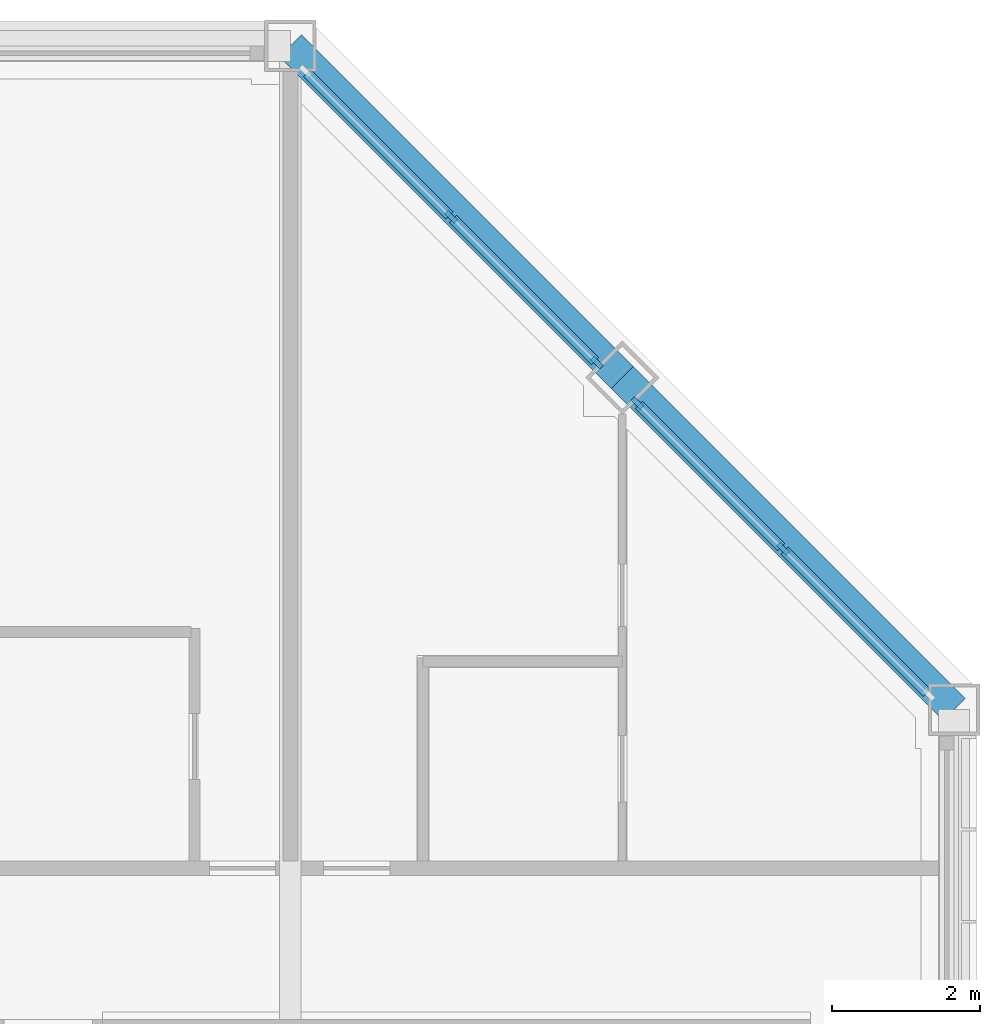
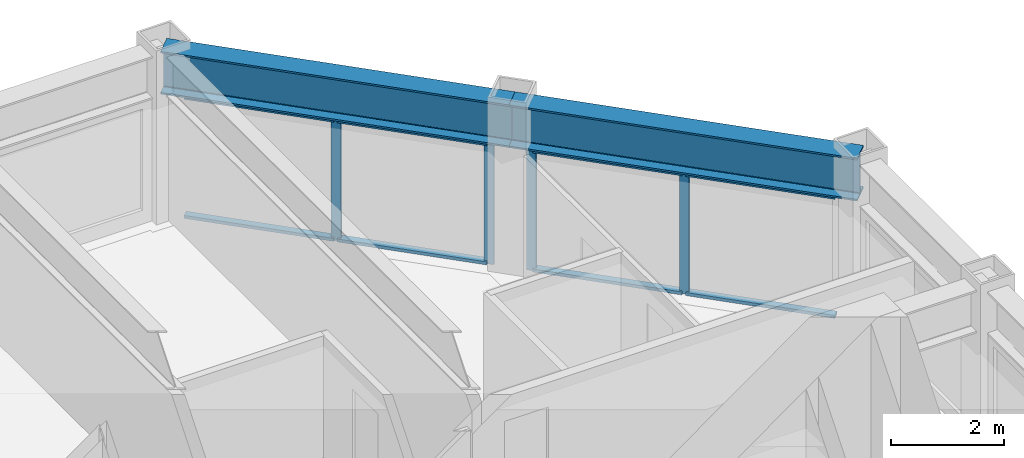
# One storey, part 7 of 18: 12 members, 2 beams, 2 elements without a shape of their own.
"""IFC4 building model written with IfcOpenShell, lengths in metres."""

from ifc_helpers import new_model, si_unit, direction, frame, origin, origin_2d, place, context, subcontext, project, spatial, rectangle, i_section, extrude, material, material_profile, profile_set, type_object, element, aggregate, save


model = new_model("IFC4")

# Units and contexts
model_context = context("Model", 3, precision=1e-05, world=origin(), true_north=direction((0.0, 1.0)))
body_context = subcontext(model_context, "Body", "Model", "MODEL_VIEW")
ifc_project = project(units=[si_unit("LENGTHUNIT", "METRE"), si_unit("AREAUNIT", "SQUARE_METRE"), si_unit("VOLUMEUNIT", "CUBIC_METRE"), si_unit("PLANEANGLEUNIT", "RADIAN"), si_unit("MASSUNIT", "GRAM", prefix="KILO")], contexts=[model_context])

# Site, building, storey
site_placement = place(None, origin())
site = spatial("IfcSite", under=ifc_project, at=site_placement, CompositionType="ELEMENT")
building_placement = place(site_placement, origin())
building = spatial("IfcBuilding", under=site, at=building_placement, Name="Msasa Ring Tower", CompositionType="ELEMENT")
storey_placement = place(building_placement, frame((0.0, 0.0, 200.800048828125)))
storey = spatial("IfcBuildingStorey", under=building, at=storey_placement, Name="L52", CompositionType="ELEMENT", Elevation=200.800048828125)

# Curtain wall, members
ifc_material_1 = material(Name="Aluminium curtain wall with clear glass", Category="aluminium")
curtain_wall_type = type_object("IfcCurtainWallType", Name="CW-C CHAMFER CORNER CURTAIN WALL", PredefinedType="NOTDEFINED", material=ifc_material_1)
curtain_wall_1_placement = place(storey_placement, origin())
curtain_wall_1 = element("IfcCurtainWall", 1, at=curtain_wall_1_placement, inside=storey, type_object=curtain_wall_type, Name="Chamfer corner curtain wall NE L52", PredefinedType="NOTDEFINED")
ifc_material_2 = material(Name="Aluminium mullion", Category="aluminium")
ifc_material_profile_1 = material_profile(ifc_material_2, rectangle(XDim=0.06494140625, YDim=0.179931640625, at=origin_2d()), Name="AL 65x180")
ifc_profile_set_1 = profile_set([ifc_material_profile_1], Name="Aluminium mullion")
member_type_1 = type_object("IfcMemberType", Name="CW-C MULLION 65x180", PredefinedType="MULLION", material=ifc_profile_set_1)
member_1_placement = place(storey_placement, frame((15.4052734375, 15.953369140625, 0.0), z_axis=(0.0, 0.0, 1.0), x_axis=(-0.707106781187, -0.707106781187, 0.0)))
member_1 = element("IfcMember", 2, at=member_1_placement, type_object=member_type_1, Name="CW-C mullion 1", PredefinedType="MULLION", context=body_context, shape_type="SweptSolid", body=[
    extrude(rectangle(XDim=0.06494140625, YDim=0.179931640625, at=origin_2d()), origin(), (0.0, 0.0, 1.0), 2.62890625),
])
member_2_placement = place(storey_placement, frame((13.42919921875, 17.92919921875, 0.0), z_axis=(0.0, 0.0, 1.0), x_axis=(-0.707106781187, -0.707106781187, 0.0)))
member_2 = element("IfcMember", 3, at=member_2_placement, type_object=member_type_1, Name="CW-C mullion 2", PredefinedType="MULLION", context=body_context, shape_type="SweptSolid", body=[
    extrude(rectangle(XDim=0.06494140625, YDim=0.179931640625, at=origin_2d()), origin(), (0.0, 0.0, 1.0), 2.62890625),
])

curtain_wall_2_placement = place(storey_placement, origin())
curtain_wall_2 = element("IfcCurtainWall", 4, at=curtain_wall_2_placement, inside=storey, type_object=curtain_wall_type, Name="Chamfer corner curtain wall NE L52", PredefinedType="NOTDEFINED")
member_3_placement = place(storey_placement, frame((17.92919921875, 13.42919921875, 0.0), z_axis=(0.0, 0.0, 1.0), x_axis=(-0.707106781187, -0.707106781187, 0.0)))
member_3 = element("IfcMember", 5, at=member_3_placement, type_object=member_type_1, Name="CW-C mullion 2", PredefinedType="MULLION", context=body_context, shape_type="SweptSolid", body=[
    extrude(rectangle(XDim=0.06494140625, YDim=0.179931640625, at=origin_2d()), origin(), (0.0, 0.0, 1.0), 2.62890625),
])
member_4_placement = place(storey_placement, frame((15.953369140625, 15.4052734375, 0.0), z_axis=(0.0, 0.0, 1.0), x_axis=(-0.707106781187, -0.707106781187, 0.0)))
member_4 = element("IfcMember", 6, at=member_4_placement, type_object=member_type_1, Name="CW-C mullion 3", PredefinedType="MULLION", context=body_context, shape_type="SweptSolid", body=[
    extrude(rectangle(XDim=0.06494140625, YDim=0.179931640625, at=origin_2d()), origin(), (0.0, 0.0, 1.0), 2.62890625),
])

# Member
ifc_material_3 = material(Name="Aluminium transom", Category="aluminium")
ifc_material_profile_2 = material_profile(ifc_material_3, rectangle(XDim=0.139892578125, YDim=0.06494140625, at=origin_2d()), Name="AL 65x140")
ifc_profile_set_2 = profile_set([ifc_material_profile_2], Name="Aluminium transom")
member_type_2 = type_object("IfcMemberType", Name="CW-C TRANSOM 65x140", PredefinedType="USERDEFINED", material=ifc_profile_set_2)
member_5_placement = place(storey_placement, frame((15.38232421875, 15.976318359375, 0.032470703125), z_axis=(-0.707106781187, 0.707106781187, 0.0), x_axis=(-0.707106781187, -0.707106781187, 0.0)))
member_5 = element("IfcMember", 7, at=member_5_placement, type_object=member_type_2, Name="CW-C transom 1.1", ObjectType="TRANSOM", PredefinedType="USERDEFINED", context=body_context, shape_type="SweptSolid", body=[
    extrude(rectangle(XDim=0.139892578125, YDim=0.06494140625, at=origin_2d()), origin(), (0.0, 0.0, 1.0), 2.729248046875),
])

member_6_placement = place(storey_placement, frame((15.38232421875, 15.976318359375, 2.596435546875), z_axis=(-0.707106781187, 0.707106781187, 0.0), x_axis=(-0.707106781187, -0.707106781187, 0.0)))
member_6 = element("IfcMember", 8, at=member_6_placement, type_object=member_type_2, Name="CW-C transom 1.2", ObjectType="TRANSOM", PredefinedType="USERDEFINED", context=body_context, shape_type="SweptSolid", body=[
    extrude(rectangle(XDim=0.139892578125, YDim=0.06494140625, at=origin_2d()), origin(), (0.0, 0.0, 1.0), 2.729248046875),
])

member_7_placement = place(storey_placement, frame((13.40625, 17.952392578125, 0.032470703125), z_axis=(-0.707106781187, 0.707106781187, 0.0), x_axis=(-0.707106781187, -0.707106781187, 0.0)))
member_7 = element("IfcMember", 9, at=member_7_placement, type_object=member_type_2, Name="CW-C transom 2.1", ObjectType="TRANSOM", PredefinedType="USERDEFINED", context=body_context, shape_type="SweptSolid", body=[
    extrude(rectangle(XDim=0.139892578125, YDim=0.06494140625, at=origin_2d()), origin(), (0.0, 0.0, 1.0), 2.729248046875),
])

member_8_placement = place(storey_placement, frame((13.40625, 17.952392578125, 2.596435546875), z_axis=(-0.707106781187, 0.707106781187, 0.0), x_axis=(-0.707106781187, -0.707106781187, 0.0)))
member_8 = element("IfcMember", 10, at=member_8_placement, type_object=member_type_2, Name="CW-C transom 2.2", ObjectType="TRANSOM", PredefinedType="USERDEFINED", context=body_context, shape_type="SweptSolid", body=[
    extrude(rectangle(XDim=0.139892578125, YDim=0.06494140625, at=origin_2d()), origin(), (0.0, 0.0, 1.0), 2.729248046875),
])

aggregate(curtain_wall_1, [member_1, member_2, member_5, member_6, member_7, member_8])

member_9_placement = place(storey_placement, frame((19.88232421875, 11.476318359375, 0.032470703125), z_axis=(-0.707106781187, 0.707106781187, 0.0), x_axis=(-0.707106781187, -0.707106781187, 0.0)))
member_9 = element("IfcMember", 11, at=member_9_placement, type_object=member_type_2, Name="CW-C transom 1.1", ObjectType="TRANSOM", PredefinedType="USERDEFINED", context=body_context, shape_type="SweptSolid", body=[
    extrude(rectangle(XDim=0.139892578125, YDim=0.06494140625, at=origin_2d()), origin(), (0.0, 0.0, 1.0), 2.729248046875),
])

member_10_placement = place(storey_placement, frame((19.88232421875, 11.476318359375, 2.596435546875), z_axis=(-0.707106781187, 0.707106781187, 0.0), x_axis=(-0.707106781187, -0.707106781187, 0.0)))
member_10 = element("IfcMember", 12, at=member_10_placement, type_object=member_type_2, Name="CW-C transom 1.2", ObjectType="TRANSOM", PredefinedType="USERDEFINED", context=body_context, shape_type="SweptSolid", body=[
    extrude(rectangle(XDim=0.139892578125, YDim=0.06494140625, at=origin_2d()), origin(), (0.0, 0.0, 1.0), 2.729248046875),
])

member_11_placement = place(storey_placement, frame((17.90625, 13.452392578125, 0.032470703125), z_axis=(-0.707106781187, 0.707106781187, 0.0), x_axis=(-0.707106781187, -0.707106781187, 0.0)))
member_11 = element("IfcMember", 13, at=member_11_placement, type_object=member_type_2, Name="CW-C transom 2.1", ObjectType="TRANSOM", PredefinedType="USERDEFINED", context=body_context, shape_type="SweptSolid", body=[
    extrude(rectangle(XDim=0.139892578125, YDim=0.06494140625, at=origin_2d()), origin(), (0.0, 0.0, 1.0), 2.729248046875),
])

member_12_placement = place(storey_placement, frame((17.90625, 13.452392578125, 2.596435546875), z_axis=(-0.707106781187, 0.707106781187, 0.0), x_axis=(-0.707106781187, -0.707106781187, 0.0)))
member_12 = element("IfcMember", 14, at=member_12_placement, type_object=member_type_2, Name="CW-C transom 2.2", ObjectType="TRANSOM", PredefinedType="USERDEFINED", context=body_context, shape_type="SweptSolid", body=[
    extrude(rectangle(XDim=0.139892578125, YDim=0.06494140625, at=origin_2d()), origin(), (0.0, 0.0, 1.0), 2.729248046875),
])

aggregate(curtain_wall_2, [member_3, member_4, member_9, member_10, member_11, member_12])

# Beams
ifc_material_4 = material(Name="Steel S355", Category="steel")
ifc_material_profile_3 = material_profile(ifc_material_4, i_section(OverallWidth=0.42041015625, OverallDepth=0.9208984375, WebThickness=0.021484375, FlangeThickness=0.03662109375, FilletRadius=0.024169921875, at=origin_2d()), Name="UB 914x419x388")
ifc_profile_set_3 = profile_set([ifc_material_profile_3], Name="Steel S355")
beam_type = type_object("IfcBeamType", Name="SB1 UB 914x419x388", PredefinedType="SPANDREL", material=ifc_profile_set_3)
for number, where, z_axis, x_axis, name in (
    (15, (20.25, 11.25, 3.08935546875), (-0.707106781187, 0.707106781187, 0.0), (-0.707106781187, -0.707106781187, 0.0), "Spandrel E+11.25 to NE under L53"),
    (16, (15.75, 15.75, 3.08935546875), (-0.707106781187, 0.707106781187, 0.0), (-0.707106781187, -0.707106781187, 0.0), "Spandrel NE to N+11.25 under L53"),
):
    element("IfcBeam", number, at=place(storey_placement, frame(where, z_axis=z_axis, x_axis=x_axis)), inside=storey, type_object=beam_type, Name=name, PredefinedType="SPANDREL", context=body_context, shape_type="SweptSolid", body=[
        extrude(i_section(OverallWidth=0.42041015625, OverallDepth=0.9208984375, WebThickness=0.021484375, FlangeThickness=0.03662109375, FilletRadius=0.024169921875, at=origin_2d()), origin(), (0.0, 0.0, 1.0), 6.364013671875),
    ])

save(model, "model.ifc")
